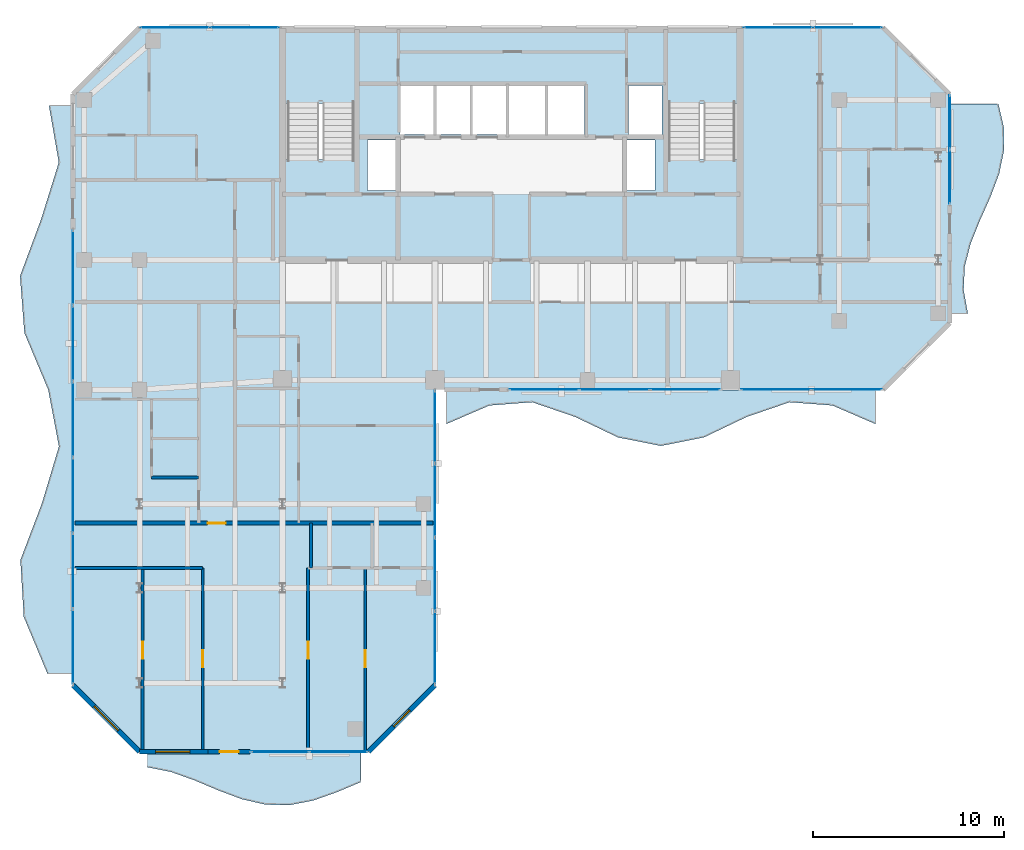
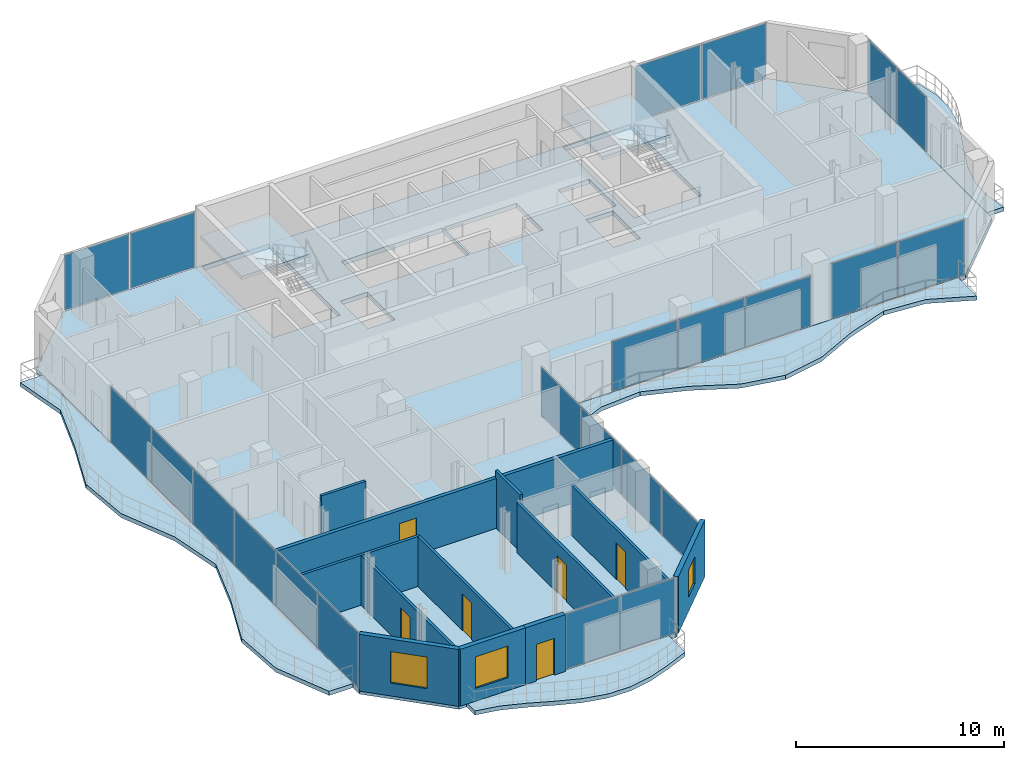
# One storey, part 17 of 23: 23 plates, 12 walls, 7 slabs, 6 doors, 3 windows, 9 openings, 10 elements without a shape of their own.
"""IFC4 building model written with IfcOpenShell, lengths in metres."""

from ifc_helpers import new_model, si_unit, direction, frame, frame_2d, origin, origin_2d, place, context, subcontext, project, spatial, polyline, rectangle, outline, extrude, material, layer, layer_set, type_object, element, fill, aggregate, save


model = new_model("IFC4")

# Units and contexts
model_context = context("Model", 3, precision=1e-05, world=origin(), true_north=direction((0.0, 1.0)))
body_context = subcontext(model_context, "Body", "Model", "MODEL_VIEW")
ifc_project = project(units=[si_unit("LENGTHUNIT", "METRE"), si_unit("AREAUNIT", "SQUARE_METRE"), si_unit("VOLUMEUNIT", "CUBIC_METRE"), si_unit("PLANEANGLEUNIT", "RADIAN"), si_unit("MASSUNIT", "GRAM", prefix="KILO")], contexts=[model_context])

# Site, building, storey
site_placement = place(None, origin())
site = spatial("IfcSite", under=ifc_project, at=site_placement, CompositionType="ELEMENT")
building_placement = place(site_placement, origin())
building = spatial("IfcBuilding", under=site, at=building_placement, Name="Catumbela Crestline Tower", CompositionType="ELEMENT")
storey_placement = place(building_placement, frame((0.0, 0.0, 172.2)))
storey = spatial("IfcBuildingStorey", under=building, at=storey_placement, Name="L44", CompositionType="ELEMENT", Elevation=172.2)

# Curtain wall, plates
ifc_material_1 = material(Name="Aluminium alloy AW-6060-T66", Category="aluminium")
ifc_layer_1 = layer(ifc_material_1, 0.18, Name="Aluminium alloy AW-6060-T66")
ifc_layer_set_1 = layer_set([ifc_layer_1], Name="Aluminium alloy AW-6060-T66")
curtain_wall_type = type_object("IfcCurtainWallType", Name="CWU-Z3", PredefinedType="USERDEFINED", material=ifc_layer_set_1)
curtain_wall_1_placement = place(storey_placement, origin())
curtain_wall_1 = element("IfcCurtainWall", 1, at=curtain_wall_1_placement, inside=storey, type_object=curtain_wall_type, Name="L44 Unitised Curtain Wall CW-L44-E0S2", ObjectType="UNITISED", PredefinedType="USERDEFINED")
ifc_material_2 = material(Name="Low-E laminated solar-control double glazing", Category="glass")
ifc_layer_2 = layer(ifc_material_2, 0.036, Name="Low-E laminated solar-control double glazing")
ifc_layer_set_2 = layer_set([ifc_layer_2], Name="Low-E laminated solar-control double glazing")
plate_type = type_object("IfcPlateType", Name="PNL-GLZ-Z3", PredefinedType="CURTAIN_PANEL", material=ifc_layer_set_2)
plate_1_placement = place(storey_placement, frame((15.8662, 5.0, 0.06), z_axis=(0.0, 0.0, 1.0), x_axis=(1.0, 0.0, 0.0)))
plate_1 = element("IfcPlate", 2, at=plate_1_placement, type_object=plate_type, Name="CWU-Z3 panel 1.1", PredefinedType="CURTAIN_PANEL", context=body_context, shape_type="SweptSolid", body=[
    extrude(rectangle(XDim=3.0025, YDim=0.034, at=origin_2d()), origin(), (0.0, 0.0, 1.0), 3.21),
])
plate_2_placement = place(storey_placement, frame((18.9338, 5.0, 0.06), z_axis=(0.0, 0.0, 1.0), x_axis=(1.0, 0.0, 0.0)))
plate_2 = element("IfcPlate", 3, at=plate_2_placement, type_object=plate_type, Name="CWU-Z3 panel 2.1", PredefinedType="CURTAIN_PANEL", context=body_context, shape_type="SweptSolid", body=[
    extrude(rectangle(XDim=3.0025, YDim=0.034, at=origin_2d()), origin(), (0.0, 0.0, 1.0), 3.21),
])
aggregate(curtain_wall_1, [plate_1, plate_2])

curtain_wall_2_placement = place(storey_placement, origin())
curtain_wall_2 = element("IfcCurtainWall", 4, at=curtain_wall_2_placement, inside=storey, type_object=curtain_wall_type, Name="L44 Unitised Curtain Wall CW-L44-E2S1", ObjectType="UNITISED", PredefinedType="USERDEFINED")
plate_3_placement = place(storey_placement, frame((24.0, 10.4538, 0.06), z_axis=(0.0, 0.0, 1.0), x_axis=(0.0, 1.0, 0.0)))
plate_3 = element("IfcPlate", 5, at=plate_3_placement, type_object=plate_type, Name="CWU-Z3 panel 1.1", PredefinedType="CURTAIN_PANEL", context=body_context, shape_type="SweptSolid", body=[
    extrude(rectangle(XDim=3.7775, YDim=0.034, at=origin_2d()), origin(), (0.0, 0.0, 1.0), 2.8),
])
plate_4_placement = place(storey_placement, frame((24.0, 14.3125, 0.06), z_axis=(0.0, 0.0, 1.0), x_axis=(0.0, 1.0, 0.0)))
plate_4 = element("IfcPlate", 6, at=plate_4_placement, type_object=plate_type, Name="CWU-Z3 panel 2.1", PredefinedType="CURTAIN_PANEL", context=body_context, shape_type="SweptSolid", body=[
    extrude(rectangle(XDim=3.81, YDim=0.034, at=origin_2d()), origin(), (0.0, 0.0, 1.0), 2.8),
])
plate_5_placement = place(storey_placement, frame((24.0, 18.1875, 0.06), z_axis=(0.0, 0.0, 1.0), x_axis=(0.0, 1.0, 0.0)))
plate_5 = element("IfcPlate", 7, at=plate_5_placement, type_object=plate_type, Name="CWU-Z3 panel 3.1", PredefinedType="CURTAIN_PANEL", context=body_context, shape_type="SweptSolid", body=[
    extrude(rectangle(XDim=3.81, YDim=0.034, at=origin_2d()), origin(), (0.0, 0.0, 1.0), 2.8),
])
plate_6_placement = place(storey_placement, frame((24.0, 22.0462, 0.06), z_axis=(0.0, 0.0, 1.0), x_axis=(0.0, 1.0, 0.0)))
plate_6 = element("IfcPlate", 8, at=plate_6_placement, type_object=plate_type, Name="CWU-Z3 panel 4.1", PredefinedType="CURTAIN_PANEL", context=body_context, shape_type="SweptSolid", body=[
    extrude(rectangle(XDim=3.7775, YDim=0.034, at=origin_2d()), origin(), (0.0, 0.0, 1.0), 2.8),
])
aggregate(curtain_wall_2, [plate_3, plate_4, plate_5, plate_6])

curtain_wall_3_placement = place(storey_placement, origin())
curtain_wall_3 = element("IfcCurtainWall", 9, at=curtain_wall_3_placement, inside=storey, type_object=curtain_wall_type, Name="L44 Unitised Curtain Wall CW-L44-E3S2", ObjectType="UNITISED", PredefinedType="USERDEFINED")
plate_7_placement = place(storey_placement, frame((29.7246, 24.0, 0.06), z_axis=(0.0, 0.0, 1.0), x_axis=(1.0, 0.0, 0.0)))
plate_7 = element("IfcPlate", 10, at=plate_7_placement, type_object=plate_type, Name="CWU-Z3 panel 1.1", PredefinedType="CURTAIN_PANEL", context=body_context, shape_type="SweptSolid", body=[
    extrude(rectangle(XDim=3.6192, YDim=0.034, at=origin_2d()), origin(), (0.0, 0.0, 1.0), 2.9),
])
plate_8_placement = place(storey_placement, frame((33.425, 24.0, 0.06), z_axis=(0.0, 0.0, 1.0), x_axis=(1.0, 0.0, 0.0)))
plate_8 = element("IfcPlate", 11, at=plate_8_placement, type_object=plate_type, Name="CWU-Z3 panel 2.1", PredefinedType="CURTAIN_PANEL", context=body_context, shape_type="SweptSolid", body=[
    extrude(rectangle(XDim=3.6517, YDim=0.034, at=origin_2d()), origin(), (0.0, 0.0, 1.0), 2.9),
])
plate_9_placement = place(storey_placement, frame((37.1254, 24.0, 0.06), z_axis=(0.0, 0.0, 1.0), x_axis=(1.0, 0.0, 0.0)))
plate_9 = element("IfcPlate", 12, at=plate_9_placement, type_object=plate_type, Name="CWU-Z3 panel 3.1", PredefinedType="CURTAIN_PANEL", context=body_context, shape_type="SweptSolid", body=[
    extrude(rectangle(XDim=3.6192, YDim=0.034, at=origin_2d()), origin(), (0.0, 0.0, 1.0), 2.9),
])
aggregate(curtain_wall_3, [plate_7, plate_8, plate_9])

curtain_wall_4_placement = place(storey_placement, origin())
curtain_wall_4 = element("IfcCurtainWall", 13, at=curtain_wall_4_placement, inside=storey, type_object=curtain_wall_type, Name="L44 Unitised Curtain Wall CW-L44-E3S3", ObjectType="UNITISED", PredefinedType="USERDEFINED")
plate_10_placement = place(storey_placement, frame((41.8912, 24.0, 0.06), z_axis=(0.0, 0.0, 1.0), x_axis=(1.0, 0.0, 0.0)))
plate_10 = element("IfcPlate", 14, at=plate_10_placement, type_object=plate_type, Name="CWU-Z3 panel 1.1", PredefinedType="CURTAIN_PANEL", context=body_context, shape_type="SweptSolid", body=[
    extrude(rectangle(XDim=3.6525, YDim=0.034, at=origin_2d()), origin(), (0.0, 0.0, 1.0), 3.21),
])
plate_11_placement = place(storey_placement, frame((45.6088, 24.0, 0.06), z_axis=(0.0, 0.0, 1.0), x_axis=(1.0, 0.0, 0.0)))
plate_11 = element("IfcPlate", 15, at=plate_11_placement, type_object=plate_type, Name="CWU-Z3 panel 2.1", PredefinedType="CURTAIN_PANEL", context=body_context, shape_type="SweptSolid", body=[
    extrude(rectangle(XDim=3.6525, YDim=0.034, at=origin_2d()), origin(), (0.0, 0.0, 1.0), 3.21),
])
aggregate(curtain_wall_4, [plate_10, plate_11])

curtain_wall_5_placement = place(storey_placement, origin())
curtain_wall_5 = element("IfcCurtainWall", 16, at=curtain_wall_5_placement, inside=storey, type_object=curtain_wall_type, Name="L44 Unitised Curtain Wall CW-L44-E5S2", ObjectType="UNITISED", PredefinedType="USERDEFINED")
plate_12_placement = place(storey_placement, frame((51.0, 35.1662, 0.06), z_axis=(0.0, 0.0, 1.0), x_axis=(0.0, 1.0, 0.0)))
plate_12 = element("IfcPlate", 17, at=plate_12_placement, type_object=plate_type, Name="CWU-Z3 panel 1.1", PredefinedType="CURTAIN_PANEL", context=body_context, shape_type="SweptSolid", body=[
    extrude(rectangle(XDim=2.8025, YDim=0.034, at=origin_2d()), origin(), (0.0, 0.0, 1.0), 3.21),
])
plate_13_placement = place(storey_placement, frame((51.0, 38.0338, 0.06), z_axis=(0.0, 0.0, 1.0), x_axis=(0.0, 1.0, 0.0)))
plate_13 = element("IfcPlate", 18, at=plate_13_placement, type_object=plate_type, Name="CWU-Z3 panel 2.1", PredefinedType="CURTAIN_PANEL", context=body_context, shape_type="SweptSolid", body=[
    extrude(rectangle(XDim=2.8025, YDim=0.034, at=origin_2d()), origin(), (0.0, 0.0, 1.0), 3.21),
])
aggregate(curtain_wall_5, [plate_12, plate_13])

curtain_wall_6_placement = place(storey_placement, origin())
curtain_wall_6 = element("IfcCurtainWall", 19, at=curtain_wall_6_placement, inside=storey, type_object=curtain_wall_type, Name="L44 Unitised Curtain Wall CW-L44-E7S1", ObjectType="UNITISED", PredefinedType="USERDEFINED")
plate_14_placement = place(storey_placement, frame((45.6438, 43.0, 0.06), z_axis=(0.0, 0.0, 1.0), x_axis=(-1.0, 0.0, 0.0)))
plate_14 = element("IfcPlate", 20, at=plate_14_placement, type_object=plate_type, Name="CWU-Z3 panel 1.1", PredefinedType="CURTAIN_PANEL", context=body_context, shape_type="SweptSolid", body=[
    extrude(rectangle(XDim=3.5825, YDim=0.034, at=origin_2d()), origin(), (0.0, 0.0, 1.0), 3.21),
])
plate_15_placement = place(storey_placement, frame((41.9963, 43.0, 0.06), z_axis=(0.0, 0.0, 1.0), x_axis=(-1.0, 0.0, 0.0)))
plate_15 = element("IfcPlate", 21, at=plate_15_placement, type_object=plate_type, Name="CWU-Z3 panel 2.1", PredefinedType="CURTAIN_PANEL", context=body_context, shape_type="SweptSolid", body=[
    extrude(rectangle(XDim=3.5825, YDim=0.034, at=origin_2d()), origin(), (0.0, 0.0, 1.0), 3.21),
])
aggregate(curtain_wall_6, [plate_14, plate_15])

curtain_wall_7_placement = place(storey_placement, origin())
curtain_wall_7 = element("IfcCurtainWall", 22, at=curtain_wall_7_placement, inside=storey, type_object=curtain_wall_type, Name="L44 Unitised Curtain Wall CW-L44-E7S2", ObjectType="UNITISED", PredefinedType="USERDEFINED")
plate_16_placement = place(storey_placement, frame((14.0038, 43.0, 0.06), z_axis=(0.0, 0.0, 1.0), x_axis=(-1.0, 0.0, 0.0)))
plate_16 = element("IfcPlate", 23, at=plate_16_placement, type_object=plate_type, Name="CWU-Z3 panel 1.1", PredefinedType="CURTAIN_PANEL", context=body_context, shape_type="SweptSolid", body=[
    extrude(rectangle(XDim=3.5825, YDim=0.034, at=origin_2d()), origin(), (0.0, 0.0, 1.0), 3.21),
])
plate_17_placement = place(storey_placement, frame((10.3562, 43.0, 0.06), z_axis=(0.0, 0.0, 1.0), x_axis=(-1.0, 0.0, 0.0)))
plate_17 = element("IfcPlate", 24, at=plate_17_placement, type_object=plate_type, Name="CWU-Z3 panel 2.1", PredefinedType="CURTAIN_PANEL", context=body_context, shape_type="SweptSolid", body=[
    extrude(rectangle(XDim=3.5825, YDim=0.034, at=origin_2d()), origin(), (0.0, 0.0, 1.0), 3.21),
])
aggregate(curtain_wall_7, [plate_16, plate_17])

curtain_wall_8_placement = place(storey_placement, origin())
curtain_wall_8 = element("IfcCurtainWall", 25, at=curtain_wall_8_placement, inside=storey, type_object=curtain_wall_type, Name="L44 Unitised Curtain Wall CW-L44-E9S2", ObjectType="UNITISED", PredefinedType="USERDEFINED")
plate_18_placement = place(storey_placement, frame((5.0, 30.3921, 0.06), z_axis=(0.0, 0.0, 1.0), x_axis=(0.0, -1.0, 0.0)))
plate_18 = element("IfcPlate", 26, at=plate_18_placement, type_object=plate_type, Name="CWU-Z3 panel 1.1", PredefinedType="CURTAIN_PANEL", context=body_context, shape_type="SweptSolid", body=[
    extrude(rectangle(XDim=3.8858, YDim=0.034, at=origin_2d()), origin(), (0.0, 0.0, 1.0), 3.21),
])
plate_19_placement = place(storey_placement, frame((5.0, 26.425, 0.06), z_axis=(0.0, 0.0, 1.0), x_axis=(0.0, -1.0, 0.0)))
plate_19 = element("IfcPlate", 27, at=plate_19_placement, type_object=plate_type, Name="CWU-Z3 panel 2.1", PredefinedType="CURTAIN_PANEL", context=body_context, shape_type="SweptSolid", body=[
    extrude(rectangle(XDim=3.9183, YDim=0.034, at=origin_2d()), origin(), (0.0, 0.0, 1.0), 3.21),
])
plate_20_placement = place(storey_placement, frame((5.0, 22.4417, 0.06), z_axis=(0.0, 0.0, 1.0), x_axis=(0.0, -1.0, 0.0)))
plate_20 = element("IfcPlate", 28, at=plate_20_placement, type_object=plate_type, Name="CWU-Z3 panel 3.1", PredefinedType="CURTAIN_PANEL", context=body_context, shape_type="SweptSolid", body=[
    extrude(rectangle(XDim=3.9183, YDim=0.034, at=origin_2d()), origin(), (0.0, 0.0, 1.0), 3.21),
])
plate_21_placement = place(storey_placement, frame((5.0, 18.4583, 0.06), z_axis=(0.0, 0.0, 1.0), x_axis=(0.0, -1.0, 0.0)))
plate_21 = element("IfcPlate", 29, at=plate_21_placement, type_object=plate_type, Name="CWU-Z3 panel 4.1", PredefinedType="CURTAIN_PANEL", context=body_context, shape_type="SweptSolid", body=[
    extrude(rectangle(XDim=3.9183, YDim=0.034, at=origin_2d()), origin(), (0.0, 0.0, 1.0), 3.21),
])
plate_22_placement = place(storey_placement, frame((5.0, 14.475, 0.06), z_axis=(0.0, 0.0, 1.0), x_axis=(0.0, -1.0, 0.0)))
plate_22 = element("IfcPlate", 30, at=plate_22_placement, type_object=plate_type, Name="CWU-Z3 panel 5.1", PredefinedType="CURTAIN_PANEL", context=body_context, shape_type="SweptSolid", body=[
    extrude(rectangle(XDim=3.9183, YDim=0.034, at=origin_2d()), origin(), (0.0, 0.0, 1.0), 3.21),
])
plate_23_placement = place(storey_placement, frame((5.0, 10.5079, 0.06), z_axis=(0.0, 0.0, 1.0), x_axis=(0.0, -1.0, 0.0)))
plate_23 = element("IfcPlate", 31, at=plate_23_placement, type_object=plate_type, Name="CWU-Z3 panel 6.1", PredefinedType="CURTAIN_PANEL", context=body_context, shape_type="SweptSolid", body=[
    extrude(rectangle(XDim=3.8858, YDim=0.034, at=origin_2d()), origin(), (0.0, 0.0, 1.0), 3.21),
])
aggregate(curtain_wall_8, [plate_18, plate_19, plate_20, plate_21, plate_22, plate_23])

# Stair, slab
ifc_material_3 = material(Name="Concrete C45/55", Category="concrete")
stair_type = type_object("IfcStairType", Name="ST-DLG", PredefinedType="HALF_TURN_STAIR", material=ifc_material_3)
stair_1_placement = place(storey_placement, origin())
stair_1 = element("IfcStair", 32, at=stair_1_placement, inside=storey, type_object=stair_type, Name="L44 West Core Pressurised Exit Stair ST-01", PredefinedType="HALF_TURN_STAIR")
ifc_layer_3 = layer(ifc_material_3, 0.2, Name="Concrete C45/55")
ifc_layer_set_3 = layer_set([ifc_layer_3], Name="Concrete C45/55")
slab_type_1 = type_object("IfcSlabType", Name="SL-LND", PredefinedType="LANDING", material=ifc_layer_set_3)
slab_1_placement = place(storey_placement, frame((0.0, 0.0, 1.6)))
slab_1 = element("IfcSlab", 33, at=slab_1_placement, type_object=slab_type_1, Name="ST-01 landing 1", PredefinedType="LANDING", context=body_context, shape_type="SweptSolid", body=[
    extrude(outline(polyline([(19.91, 39.02), (19.91, 42.96), (16.09, 42.96), (16.09, 39.02), (19.91, 39.02)])), origin(), (0.0, 0.0, 1.0), 0.2),
])
aggregate(stair_1, [slab_1])

stair_2_placement = place(storey_placement, origin())
stair_2 = element("IfcStair", 34, at=stair_2_placement, inside=storey, type_object=stair_type, Name="L44 East Core Pressurised Exit Stair ST-02", PredefinedType="HALF_TURN_STAIR")
slab_2_placement = place(storey_placement, frame((0.0, 0.0, 1.6)))
slab_2 = element("IfcSlab", 35, at=slab_2_placement, type_object=slab_type_1, Name="ST-02 landing 1", PredefinedType="LANDING", context=body_context, shape_type="SweptSolid", body=[
    extrude(outline(polyline([(39.91, 39.02), (39.91, 42.96), (36.09, 42.96), (36.09, 39.02), (39.91, 39.02)])), origin(), (0.0, 0.0, 1.0), 0.2),
])
aggregate(stair_2, [slab_2])

# Slabs
ifc_layer_4 = layer(ifc_material_3, 0.26, Name="Concrete C45/55")
ifc_layer_set_4 = layer_set([ifc_layer_4], Name="Concrete C45/55")
slab_type_2 = type_object("IfcSlabType", Name="SL-260", PredefinedType="FLOOR", material=ifc_layer_set_4)
slab_3_placement = place(storey_placement, frame((0.0, 0.0, -0.26)))
element("IfcSlab", 36, at=slab_3_placement, inside=storey, type_object=slab_type_2, Name="L44 Structural Floor Slab", PredefinedType="FLOOR", context=body_context, shape_type="SweptSolid", body=[
    extrude(outline(polyline([(8.5, 5.0), (20.5, 5.0), (24.0, 8.5), (24.0, 24.0), (47.5, 24.0), (51.0, 27.5), (51.0, 39.5), (47.5, 43.0), (8.5, 43.0), (5.0, 39.5), (5.0, 8.5), (8.5, 5.0)]), holes=[polyline([(16.13, 36.08), (19.87, 36.08), (19.87, 42.92), (16.13, 42.92), (16.13, 36.08)]), polyline([(36.13, 36.08), (39.87, 36.08), (39.87, 42.92), (36.13, 42.92), (36.13, 36.08)]), polyline([(22.15, 37.4), (27.75, 37.4), (27.75, 39.95), (22.15, 39.95), (22.15, 37.4)]), polyline([(27.85, 37.4), (31.85, 37.4), (31.85, 39.95), (27.85, 39.95), (27.85, 37.4)]), polyline([(20.45, 34.45), (21.95, 34.45), (21.95, 37.1), (20.45, 37.1), (20.45, 34.45)]), polyline([(34.05, 34.45), (35.55, 34.45), (35.55, 37.1), (34.05, 37.1), (34.05, 34.45)]), polyline([(34.15, 37.4), (35.9, 37.4), (35.9, 39.95), (34.15, 39.95), (34.15, 37.4)])]), origin(), (0.0, 0.0, 1.0), 0.26),
])
ifc_layer_5 = layer(ifc_material_3, 0.24, Name="Concrete C45/55")
ifc_layer_set_5 = layer_set([ifc_layer_5], Name="Concrete C45/55")
slab_type_3 = type_object("IfcSlabType", Name="SB-240W", PredefinedType="USERDEFINED", material=ifc_layer_set_5)
slab_4_placement = place(storey_placement, frame((0.0, 0.0, -0.24)))
element("IfcSlab", 37, at=slab_4_placement, inside=storey, type_object=slab_type_3, Name="L44 Cantilevered Wave Balcony Slab SPINE-S", ObjectType="BALCONY", PredefinedType="USERDEFINED", context=body_context, shape_type="SweptSolid", body=[
    extrude(outline(polyline([(24.6, 22.2), (26.85, 23.1708), (29.1, 23.3413), (31.35, 22.5708), (33.6, 21.4947), (35.85, 21.05), (38.1, 21.4947), (40.35, 22.5708), (42.6, 23.3413), (44.85, 23.1708), (47.1, 22.2), (47.1, 23.99), (24.6, 23.99), (24.6, 22.2)])), origin(), (0.0, 0.0, 1.0), 0.24),
])
slab_5_placement = place(storey_placement, frame((0.0, 0.0, -0.24)))
element("IfcSlab", 38, at=slab_5_placement, inside=storey, type_object=slab_type_3, Name="L44 Cantilevered Wave Balcony Slab SPINE-E", ObjectType="BALCONY", PredefinedType="USERDEFINED", context=body_context, shape_type="SweptSolid", body=[
    extrude(outline(polyline([(51.01, 28.0), (51.954, 28.0), (51.7336, 29.2222), (51.7866, 30.4444), (52.0995, 31.6667), (52.5921, 32.8889), (53.1379, 34.1111), (53.5971, 35.3333), (53.85, 36.5556), (53.8369, 37.7778), (53.5561, 39.0), (51.01, 39.0), (51.01, 28.0)])), origin(), (0.0, 0.0, 1.0), 0.24),
])
slab_6_placement = place(storey_placement, frame((0.0, 0.0, -0.24)))
element("IfcSlab", 39, at=slab_6_placement, inside=storey, type_object=slab_type_3, Name="L44 Cantilevered Wave Balcony Slab WING-S", ObjectType="BALCONY", PredefinedType="USERDEFINED", context=body_context, shape_type="SweptSolid", body=[
    extrude(outline(polyline([(8.9, 4.1933), (10.1444, 3.946), (11.3889, 3.5005), (12.6333, 2.9752), (13.8778, 2.5096), (15.1222, 2.2274), (16.3667, 2.2035), (17.6111, 2.4444), (18.8556, 2.8859), (20.1, 3.4109), (20.1, 4.99), (8.9, 4.99), (8.9, 4.1933)])), origin(), (0.0, 0.0, 1.0), 0.24),
])
slab_7_placement = place(storey_placement, frame((0.0, 0.0, -0.24)))
element("IfcSlab", 40, at=slab_7_placement, inside=storey, type_object=slab_type_3, Name="L44 Cantilevered Wave Balcony Slab WEST", ObjectType="BALCONY", PredefinedType="USERDEFINED", context=body_context, shape_type="SweptSolid", body=[
    extrude(outline(polyline([(4.99, 38.9), (3.7417, 38.9), (4.2579, 35.92), (3.329, 32.94), (2.2239, 29.96), (2.4522, 26.98), (3.7021, 24.0), (4.266, 21.02), (3.3738, 18.04), (2.2441, 15.06), (2.4203, 12.08), (3.6616, 9.1), (4.99, 9.1), (4.99, 38.9)])), origin(), (0.0, 0.0, 1.0), 0.24),
])

# Wall, opening, door
ifc_material_4 = material(Name="Angolan grey-ochre granite", Category="masonry")
ifc_layer_6 = layer(ifc_material_4, 0.25, Name="Angolan grey-ochre granite")
ifc_layer_set_6 = layer_set([ifc_layer_6], Name="Angolan grey-ochre granite")
wall_type_1 = type_object("IfcWallType", Name="WE-250", PredefinedType="STANDARD", material=ifc_layer_set_6)
wall_1_placement = place(storey_placement, frame((12.1, 5.0, 0.0), z_axis=(0.0, 0.0, 1.0), x_axis=(1.0, 0.0, 0.0)))
wall_1 = element("IfcWall", 41, at=wall_1_placement, inside=storey, type_object=wall_type_1, Name="L44 Exterior Threshold Portal Wall DR-L44-WBAL-3", PredefinedType="STANDARD", context=body_context, shape_type="SweptSolid", body=[
    extrude(rectangle(XDim=2.2, YDim=0.25, at=frame_2d((1.1, 0.0))), origin(), (0.0, 0.0, 1.0), 3.33),
])
opening_1_placement = place(wall_1_placement, frame((0.6, 0.0, 0.0)))
opening_1 = element("IfcOpeningElement", 42, at=opening_1_placement, cuts=wall_1, Name="Opening DB-L44-3", PredefinedType="OPENING", context=body_context, shape_type="SweptSolid", body=[
    extrude(rectangle(XDim=1.0, YDim=2.15, at=frame_2d((0.5, 1.075))), frame((0.0, 0.135, 0.0), z_axis=(0.0, -1.0, 0.0), x_axis=(1.0, 0.0, 0.0)), (0.0, 0.0, 1.0), 0.27),
])
door_type_1 = type_object("IfcDoorType", Name="DB-1000", OperationType="NOTDEFINED", PredefinedType="DOOR", material=ifc_material_1)
door_1_placement = place(opening_1_placement, origin())
door_1 = element("IfcDoor", 43, at=door_1_placement, inside=storey, type_object=door_type_1, Name="L44 Wave Balcony Terrace Door 3", OperationType="SINGLE_SWING_RIGHT", OverallHeight=2.15, OverallWidth=1.0, PredefinedType="DOOR", context=body_context, shape_type="SweptSolid", body=[
    extrude(rectangle(XDim=1.0, YDim=2.15, at=frame_2d((0.5, 1.075))), frame((0.0, 0.025, 0.0), z_axis=(0.0, -1.0, 0.0), x_axis=(1.0, 0.0, 0.0)), (0.0, 0.0, 1.0), 0.05),
])
fill(opening_1, door_1)

# Wall, opening, window
wall_2_placement = place(storey_placement, frame((8.5, 5.0, 0.0), z_axis=(0.0, 0.0, 1.0), x_axis=(1.0, 0.0, 0.0)))
wall_2 = element("IfcWall", 44, at=wall_2_placement, inside=storey, type_object=wall_type_1, Name="L44 Granite Punched Window Wall 0-1", PredefinedType="STANDARD", context=body_context, shape_type="SweptSolid", body=[
    extrude(rectangle(XDim=3.6, YDim=0.25, at=frame_2d((1.8, 0.0))), origin(), (0.0, 0.0, 1.0), 3.33),
])
opening_2_placement = place(wall_2_placement, frame((0.835, 0.0, 0.75)))
opening_2 = element("IfcOpeningElement", 45, at=opening_2_placement, cuts=wall_2, Name="Opening WN-01", PredefinedType="OPENING", context=body_context, shape_type="SweptSolid", body=[
    extrude(rectangle(XDim=1.8, YDim=1.85, at=frame_2d((0.9, 0.925))), frame((0.0, 0.135, 0.0), z_axis=(0.0, -1.0, 0.0), x_axis=(1.0, 0.0, 0.0)), (0.0, 0.0, 1.0), 0.27),
])
window_type_1 = type_object("IfcWindowType", Name="WF-1800", PartitioningType="SINGLE_PANEL", PredefinedType="WINDOW", material=ifc_material_2)
window_1_placement = place(opening_2_placement, origin())
window_1 = element("IfcWindow", 46, at=window_1_placement, inside=storey, type_object=window_type_1, Name="L44 Facade Vision Window 265", OverallHeight=1.85, OverallWidth=1.8, PartitioningType="SINGLE_PANEL", PredefinedType="WINDOW", context=body_context, shape_type="SweptSolid", body=[
    extrude(rectangle(XDim=1.8, YDim=1.85, at=frame_2d((0.9, 0.925))), frame((0.0, 0.03, 0.0), z_axis=(0.0, -1.0, 0.0), x_axis=(1.0, 0.0, 0.0)), (0.0, 0.0, 1.0), 0.06),
])
fill(opening_2, window_1)

wall_3_placement = place(storey_placement, frame((20.5, 5.0, 0.0), z_axis=(0.0, 0.0, 1.0), x_axis=(0.707106781187, 0.707106781187, 0.0)))
wall_3 = element("IfcWall", 47, at=wall_3_placement, inside=storey, type_object=wall_type_1, Name="L44 Granite Punched Window Wall 1-1", PredefinedType="STANDARD", context=body_context, shape_type="SweptSolid", body=[
    extrude(rectangle(XDim=4.9497, YDim=0.25, at=frame_2d((2.4748, 0.0))), origin(), (0.0, 0.0, 1.0), 3.33),
])
opening_3_placement = place(wall_3_placement, frame((1.8748, 0.0, 0.85)))
opening_3 = element("IfcOpeningElement", 48, at=opening_3_placement, cuts=wall_3, Name="Opening WN-02", PredefinedType="OPENING", context=body_context, shape_type="SweptSolid", body=[
    extrude(rectangle(XDim=1.2, YDim=1.6, at=frame_2d((0.6, 0.8))), frame((0.0, 0.135, 0.0), z_axis=(0.0, -1.0, 0.0), x_axis=(1.0, 0.0, 0.0)), (0.0, 0.0, 1.0), 0.27),
])
window_type_2 = type_object("IfcWindowType", Name="WO-1200", PartitioningType="SINGLE_PANEL", PredefinedType="WINDOW", material=ifc_material_2)
window_2_placement = place(opening_3_placement, origin())
window_2 = element("IfcWindow", 49, at=window_2_placement, inside=storey, type_object=window_type_2, Name="L44 Facade Vision Window 266", OverallHeight=1.6, OverallWidth=1.2, PartitioningType="SINGLE_PANEL", PredefinedType="WINDOW", context=body_context, shape_type="SweptSolid", body=[
    extrude(rectangle(XDim=1.2, YDim=1.6, at=frame_2d((0.6, 0.8))), frame((0.0, 0.03, 0.0), z_axis=(0.0, -1.0, 0.0), x_axis=(1.0, 0.0, 0.0)), (0.0, 0.0, 1.0), 0.06),
])
fill(opening_3, window_2)

wall_4_placement = place(storey_placement, frame((5.0, 8.5, 0.0), z_axis=(0.0, 0.0, 1.0), x_axis=(0.707106781187, -0.707106781187, 0.0)))
wall_4 = element("IfcWall", 50, at=wall_4_placement, inside=storey, type_object=wall_type_1, Name="L44 Granite Punched Window Wall 10-1", PredefinedType="STANDARD", context=body_context, shape_type="SweptSolid", body=[
    extrude(rectangle(XDim=4.9497, YDim=0.25, at=frame_2d((2.4748, 0.0))), origin(), (0.0, 0.0, 1.0), 3.33),
])
opening_4_placement = place(wall_4_placement, frame((1.5749, 0.0, 0.75)))
opening_4 = element("IfcOpeningElement", 51, at=opening_4_placement, cuts=wall_4, Name="Opening WN-01", PredefinedType="OPENING", context=body_context, shape_type="SweptSolid", body=[
    extrude(rectangle(XDim=1.8, YDim=1.85, at=frame_2d((0.9, 0.925))), frame((0.0, 0.135, 0.0), z_axis=(0.0, -1.0, 0.0), x_axis=(1.0, 0.0, 0.0)), (0.0, 0.0, 1.0), 0.27),
])
window_3_placement = place(opening_4_placement, origin())
window_3 = element("IfcWindow", 52, at=window_3_placement, inside=storey, type_object=window_type_1, Name="L44 Facade Vision Window 273", OverallHeight=1.85, OverallWidth=1.8, PartitioningType="SINGLE_PANEL", PredefinedType="WINDOW", context=body_context, shape_type="SweptSolid", body=[
    extrude(rectangle(XDim=1.8, YDim=1.85, at=frame_2d((0.9, 0.925))), frame((0.0, 0.03, 0.0), z_axis=(0.0, -1.0, 0.0), x_axis=(1.0, 0.0, 0.0)), (0.0, 0.0, 1.0), 0.06),
])
fill(opening_4, window_3)

# Walls
ifc_material_5 = material(Name="Acoustic gypsum and mineral-wool partition")
ifc_layer_7 = layer(ifc_material_5, 0.15, Name="Acoustic gypsum and mineral-wool partition")
ifc_layer_set_7 = layer_set([ifc_layer_7], Name="Acoustic gypsum and mineral-wool partition")
wall_type_2 = type_object("IfcWallType", Name="WP-150", PredefinedType="PARTITIONING", material=ifc_layer_set_7)
wall_5_placement = place(storey_placement, frame((9.13, 19.396, 0.0), z_axis=(0.0, 0.0, 1.0), x_axis=(1.0, 0.0, 0.0)))
element("IfcWall", 53, at=wall_5_placement, inside=storey, type_object=wall_type_2, Name="L44 Interior Partition PW-L44-WL1-KBS", PredefinedType="PARTITIONING", context=body_context, shape_type="SweptSolid", body=[
    extrude(rectangle(XDim=2.47, YDim=0.15, at=frame_2d((1.235, 0.0))), origin(), (0.0, 0.0, 1.0), 3.33),
])
wall_6_placement = place(storey_placement, frame((17.5, 14.65, 0.0), z_axis=(0.0, 0.0, 1.0), x_axis=(0.0, 1.0, 0.0)))
element("IfcWall", 54, at=wall_6_placement, inside=storey, type_object=wall_type_2, Name="L44 Interior Partition PW-L44-SH1-KBW", PredefinedType="PARTITIONING", context=body_context, shape_type="SweptSolid", body=[
    extrude(rectangle(XDim=2.35, YDim=0.15, at=frame_2d((1.175, 0.0))), origin(), (0.0, 0.0, 1.0), 3.33),
])
wall_7_placement = place(storey_placement, frame((5.1, 14.65, 0.0), z_axis=(0.0, 0.0, 1.0), x_axis=(1.0, 0.0, 0.0)))
element("IfcWall", 55, at=wall_7_placement, inside=storey, type_object=wall_type_2, Name="L44 Interior Partition PW-L44-SH1-BDLH", PredefinedType="PARTITIONING", context=body_context, shape_type="SweptSolid", body=[
    extrude(rectangle(XDim=6.71, YDim=0.15, at=frame_2d((3.355, 0.0))), origin(), (0.0, 0.0, 1.0), 2.92),
])

# Wall, opening, door
wall_8_placement = place(storey_placement, frame((8.66, 5.1, 0.0), z_axis=(0.0, 0.0, 1.0), x_axis=(0.0, 1.0, 0.0)))
wall_8 = element("IfcWall", 56, at=wall_8_placement, inside=storey, type_object=wall_type_2, Name="L44 Interior Partition PW-L44-SH1-BDL", PredefinedType="PARTITIONING", context=body_context, shape_type="SweptSolid", body=[
    extrude(rectangle(XDim=9.55, YDim=0.15, at=frame_2d((4.775, 0.0))), origin(), (0.0, 0.0, 1.0), 2.92),
])
opening_5_placement = place(wall_8_placement, frame((4.7789, 0.0, 0.0)))
opening_5 = element("IfcOpeningElement", 57, at=opening_5_placement, cuts=wall_8, Name="Opening DI-090", PredefinedType="OPENING", context=body_context, shape_type="SweptSolid", body=[
    extrude(rectangle(XDim=0.9, YDim=2.15, at=frame_2d((0.45, 1.075))), frame((0.0, 0.085, 0.0), z_axis=(0.0, -1.0, 0.0), x_axis=(1.0, 0.0, 0.0)), (0.0, 0.0, 1.0), 0.17),
])
door_type_2 = type_object("IfcDoorType", Name="DI-090", OperationType="NOTDEFINED", PredefinedType="DOOR", material=ifc_material_1)
door_2_placement = place(opening_5_placement, origin())
door_2 = element("IfcDoor", 58, at=door_2_placement, inside=storey, type_object=door_type_2, Name="L44 Interior Door DR-L44-SH1-BD1", OperationType="SINGLE_SWING_LEFT", OverallHeight=2.15, OverallWidth=0.9, PredefinedType="DOOR", context=body_context, shape_type="SweptSolid", body=[
    extrude(rectangle(XDim=0.9, YDim=2.15, at=frame_2d((0.45, 1.075))), frame((0.0, 0.025, 0.0), z_axis=(0.0, -1.0, 0.0), x_axis=(1.0, 0.0, 0.0)), (0.0, 0.0, 1.0), 0.05),
])
fill(opening_5, door_2)

wall_9_placement = place(storey_placement, frame((20.34, 5.1, 0.0), z_axis=(0.0, 0.0, 1.0), x_axis=(0.0, 1.0, 0.0)))
wall_9 = element("IfcWall", 59, at=wall_9_placement, inside=storey, type_object=wall_type_2, Name="L44 Interior Partition PW-L44-SH1-BDR", PredefinedType="PARTITIONING", context=body_context, shape_type="SweptSolid", body=[
    extrude(rectangle(XDim=9.55, YDim=0.15, at=frame_2d((4.775, 0.0))), origin(), (0.0, 0.0, 1.0), 2.92),
])
opening_6_placement = place(wall_9_placement, frame((4.325, 0.0, 0.0)))
opening_6 = element("IfcOpeningElement", 60, at=opening_6_placement, cuts=wall_9, Name="Opening DI-090", PredefinedType="OPENING", context=body_context, shape_type="SweptSolid", body=[
    extrude(rectangle(XDim=0.9, YDim=2.15, at=frame_2d((0.45, 1.075))), frame((0.0, 0.085, 0.0), z_axis=(0.0, -1.0, 0.0), x_axis=(1.0, 0.0, 0.0)), (0.0, 0.0, 1.0), 0.17),
])
door_3_placement = place(opening_6_placement, origin())
door_3 = element("IfcDoor", 61, at=door_3_placement, inside=storey, type_object=door_type_2, Name="L44 Interior Door DR-L44-SH1-BD2", OperationType="SINGLE_SWING_RIGHT", OverallHeight=2.15, OverallWidth=0.9, PredefinedType="DOOR", context=body_context, shape_type="SweptSolid", body=[
    extrude(rectangle(XDim=0.9, YDim=2.15, at=frame_2d((0.45, 1.075))), frame((0.0, 0.025, 0.0), z_axis=(0.0, -1.0, 0.0), x_axis=(1.0, 0.0, 0.0)), (0.0, 0.0, 1.0), 0.05),
])
fill(opening_6, door_3)

wall_10_placement = place(storey_placement, frame((17.34, 5.1, 0.0), z_axis=(0.0, 0.0, 1.0), x_axis=(0.0, 1.0, 0.0)))
wall_10 = element("IfcWall", 62, at=wall_10_placement, inside=storey, type_object=wall_type_2, Name="L44 Interior Partition PW-L44-SH1-STW", PredefinedType="PARTITIONING", context=body_context, shape_type="SweptSolid", body=[
    extrude(rectangle(XDim=9.55, YDim=0.15, at=frame_2d((4.775, 0.0))), origin(), (0.0, 0.0, 1.0), 2.92),
])
opening_7_placement = place(wall_10_placement, frame((4.7789, 0.0, 0.0)))
opening_7 = element("IfcOpeningElement", 63, at=opening_7_placement, cuts=wall_10, Name="Opening DI-090", PredefinedType="OPENING", context=body_context, shape_type="SweptSolid", body=[
    extrude(rectangle(XDim=0.9, YDim=2.15, at=frame_2d((0.45, 1.075))), frame((0.0, 0.085, 0.0), z_axis=(0.0, -1.0, 0.0), x_axis=(1.0, 0.0, 0.0)), (0.0, 0.0, 1.0), 0.17),
])
door_4_placement = place(opening_7_placement, origin())
door_4 = element("IfcDoor", 64, at=door_4_placement, inside=storey, type_object=door_type_2, Name="L44 Interior Door DR-L44-SH1-STDY", OperationType="SINGLE_SWING_RIGHT", OverallHeight=2.15, OverallWidth=0.9, PredefinedType="DOOR", context=body_context, shape_type="SweptSolid", body=[
    extrude(rectangle(XDim=0.9, YDim=2.15, at=frame_2d((0.45, 1.075))), frame((0.0, 0.025, 0.0), z_axis=(0.0, -1.0, 0.0), x_axis=(1.0, 0.0, 0.0)), (0.0, 0.0, 1.0), 0.05),
])
fill(opening_7, door_4)

wall_11_placement = place(storey_placement, frame((11.81, 5.1, 0.0), z_axis=(0.0, 0.0, 1.0), x_axis=(0.0, 1.0, 0.0)))
wall_11 = element("IfcWall", 65, at=wall_11_placement, inside=storey, type_object=wall_type_2, Name="L44 Interior Partition PW-L44-SH1-DNW", PredefinedType="PARTITIONING", context=body_context, shape_type="SweptSolid", body=[
    extrude(rectangle(XDim=9.55, YDim=0.15, at=frame_2d((4.775, 0.0))), origin(), (0.0, 0.0, 1.0), 2.92),
])
opening_8_placement = place(wall_11_placement, frame((4.325, 0.0, 0.0)))
opening_8 = element("IfcOpeningElement", 66, at=opening_8_placement, cuts=wall_11, Name="Opening DI-090", PredefinedType="OPENING", context=body_context, shape_type="SweptSolid", body=[
    extrude(rectangle(XDim=0.9, YDim=2.15, at=frame_2d((0.45, 1.075))), frame((0.0, 0.085, 0.0), z_axis=(0.0, -1.0, 0.0), x_axis=(1.0, 0.0, 0.0)), (0.0, 0.0, 1.0), 0.17),
])
door_5_placement = place(opening_8_placement, origin())
door_5 = element("IfcDoor", 67, at=door_5_placement, inside=storey, type_object=door_type_2, Name="L44 Interior Door DR-L44-SH1-FDIN", OperationType="SINGLE_SWING_LEFT", OverallHeight=2.15, OverallWidth=0.9, PredefinedType="DOOR", context=body_context, shape_type="SweptSolid", body=[
    extrude(rectangle(XDim=0.9, YDim=2.15, at=frame_2d((0.45, 1.075))), frame((0.0, 0.025, 0.0), z_axis=(0.0, -1.0, 0.0), x_axis=(1.0, 0.0, 0.0)), (0.0, 0.0, 1.0), 0.05),
])
fill(opening_8, door_5)

ifc_layer_8 = layer(ifc_material_5, 0.2, Name="Acoustic gypsum and mineral-wool partition")
ifc_layer_set_8 = layer_set([ifc_layer_8], Name="Acoustic gypsum and mineral-wool partition")
wall_type_3 = type_object("IfcWallType", Name="WY-200", PredefinedType="PARTITIONING", material=ifc_layer_set_8)
wall_12_placement = place(storey_placement, frame((5.1, 17.0, 0.0), z_axis=(0.0, 0.0, 1.0), x_axis=(1.0, 0.0, 0.0)))
wall_12 = element("IfcWall", 68, at=wall_12_placement, inside=storey, type_object=wall_type_3, Name="L44 Interior Partition PW-L44-SH-WL", PredefinedType="PARTITIONING", context=body_context, shape_type="SweptSolid", body=[
    extrude(rectangle(XDim=18.8, YDim=0.2, at=frame_2d((9.4, 0.0))), origin(), (0.0, 0.0, 1.0), 2.92),
])
opening_9_placement = place(wall_12_placement, frame((6.962, 0.0, 0.0)))
opening_9 = element("IfcOpeningElement", 69, at=opening_9_placement, cuts=wall_12, Name="Opening DF6-095", PredefinedType="OPENING", context=body_context, shape_type="SweptSolid", body=[
    extrude(rectangle(XDim=0.95, YDim=2.15, at=frame_2d((0.475, 1.075))), frame((0.0, 0.11, 0.0), z_axis=(0.0, -1.0, 0.0), x_axis=(1.0, 0.0, 0.0)), (0.0, 0.0, 1.0), 0.22),
])
door_type_3 = type_object("IfcDoorType", Name="DF6-095", OperationType="NOTDEFINED", PredefinedType="DOOR", material=ifc_material_1)
door_6_placement = place(opening_9_placement, origin())
door_6 = element("IfcDoor", 70, at=door_6_placement, inside=storey, type_object=door_type_3, Name="L44 Interior Door DR-L44-SH1-ENT", OperationType="SINGLE_SWING_LEFT", OverallHeight=2.15, OverallWidth=0.95, PredefinedType="DOOR", context=body_context, shape_type="SweptSolid", body=[
    extrude(rectangle(XDim=0.95, YDim=2.15, at=frame_2d((0.475, 1.075))), frame((0.0, 0.025, 0.0), z_axis=(0.0, -1.0, 0.0), x_axis=(1.0, 0.0, 0.0)), (0.0, 0.0, 1.0), 0.05),
])
fill(opening_9, door_6)

save(model, "model.ifc")
